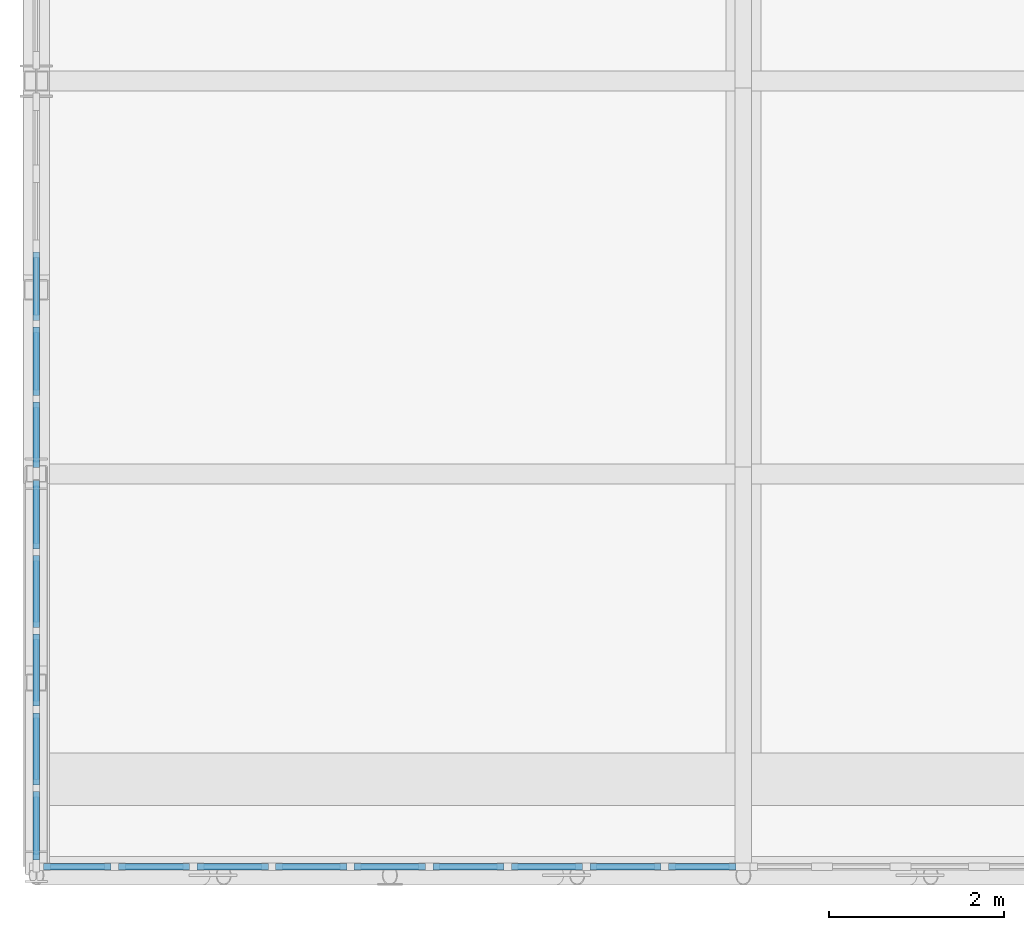
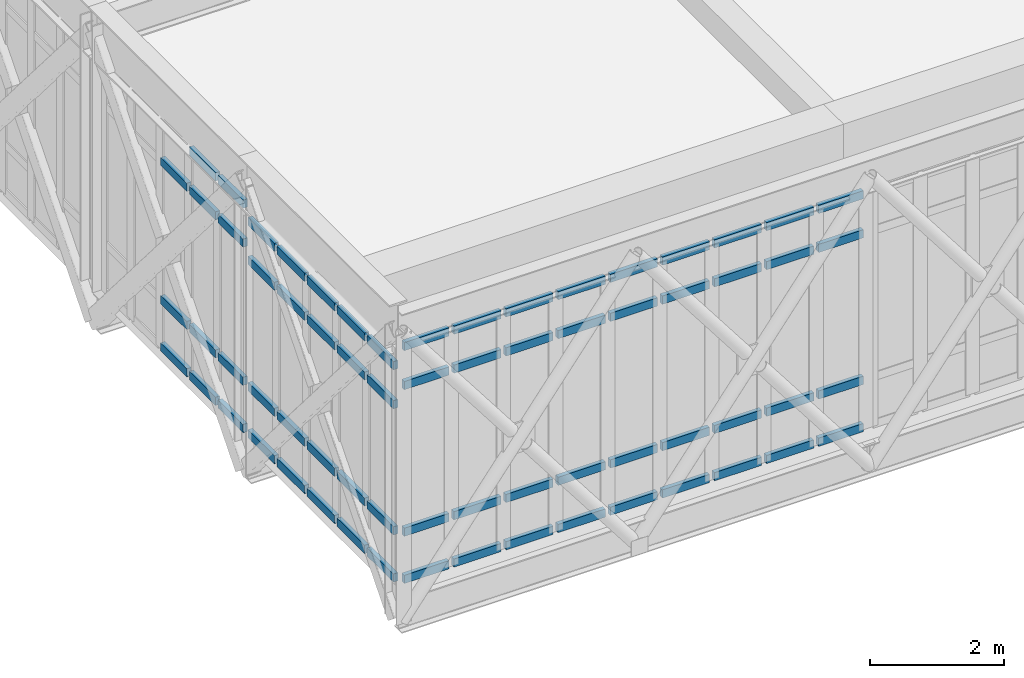
# One storey, part 27 of 70: 67 members, 3 elements without a shape of their own.
"""IFC4 building model written with IfcOpenShell, lengths in metres."""

from ifc_helpers import new_model, si_unit, direction, frame, origin, origin_2d, place, context, subcontext, project, spatial, rectangle, extrude, material, material_profile, profile_set, type_object, element, aggregate, save


model = new_model("IFC4")

# Units and contexts
model_context = context("Model", 3, precision=1e-05, world=origin(), true_north=direction((0.0, 1.0)))
body_context = subcontext(model_context, "Body", "Model", "MODEL_VIEW")
ifc_project = project(units=[si_unit("LENGTHUNIT", "METRE"), si_unit("AREAUNIT", "SQUARE_METRE"), si_unit("VOLUMEUNIT", "CUBIC_METRE"), si_unit("PLANEANGLEUNIT", "RADIAN"), si_unit("MASSUNIT", "GRAM", prefix="KILO")], contexts=[model_context])

# Site, building, storey
site_placement = place(None, origin())
site = spatial("IfcSite", under=ifc_project, at=site_placement, CompositionType="ELEMENT")
building_placement = place(site_placement, origin())
building = spatial("IfcBuilding", under=site, at=building_placement, Name="Tarnveldt Square Police Headquarters", CompositionType="ELEMENT")
storey_placement = place(building_placement, frame((0.0, 0.0, 19.800048828125)))
storey = spatial("IfcBuildingStorey", under=building, at=storey_placement, Name="L04", CompositionType="ELEMENT", Elevation=19.800048828125)

# Curtain wall, members
ifc_material_1 = material(Name="UL 752 Level III laminated ballistic vision glass", Category="glass")
curtain_wall_type_1 = type_object("IfcCurtainWallType", Name="CW-BL-810x433", PredefinedType="USERDEFINED", material=ifc_material_1)
curtain_wall_1_placement = place(storey_placement, origin())
curtain_wall_1 = element("IfcCurtainWall", 1, at=curtain_wall_1_placement, inside=storey, type_object=curtain_wall_type_1, Name="L04 Curtain Wall CW-L04-040", ObjectType="BALLISTIC CURTAIN WALL", PredefinedType="USERDEFINED")
ifc_material_2 = material(Name="Thermally broken anodised aluminium 6063-T6", Category="aluminium")
ifc_material_profile = material_profile(ifc_material_2, rectangle(XDim=0.074951171875, YDim=0.14990234375, at=origin_2d()), Name="CW-T75x150")
ifc_profile_set = profile_set([ifc_material_profile], Name="Thermally broken anodised aluminium 6063-T6")
member_type = type_object("IfcMemberType", Name="CWT-75x150", PredefinedType="USERDEFINED", material=ifc_profile_set)
member_1_placement = place(storey_placement, frame((8.18505859375, 7.0, 0.037353515625), z_axis=(1.0, 0.0, 0.0), x_axis=(0.0, 1.0, 0.0)))
member_1 = element("IfcMember", 2, at=member_1_placement, type_object=member_type, Name="CW-BL17 transom 1.1", ObjectType="TRANSOM", PredefinedType="USERDEFINED", context=body_context, shape_type="SweptSolid", body=[
    extrude(rectangle(XDim=0.074951171875, YDim=0.14990234375, at=origin_2d()), origin(), (0.0, 0.0, 1.0), 0.7724609375),
])
member_2_placement = place(storey_placement, frame((8.18505859375, 7.0, 0.89990234375), z_axis=(1.0, 0.0, 0.0), x_axis=(0.0, 1.0, 0.0)))
member_2 = element("IfcMember", 3, at=member_2_placement, type_object=member_type, Name="CW-BL17 transom 1.2", ObjectType="TRANSOM", PredefinedType="USERDEFINED", context=body_context, shape_type="SweptSolid", body=[
    extrude(rectangle(XDim=0.074951171875, YDim=0.14990234375, at=origin_2d()), origin(), (0.0, 0.0, 1.0), 0.7724609375),
])
member_3_placement = place(storey_placement, frame((8.18505859375, 7.0, 3.576416015625), z_axis=(1.0, 0.0, 0.0), x_axis=(0.0, 1.0, 0.0)))
member_3 = element("IfcMember", 4, at=member_3_placement, type_object=member_type, Name="CW-BL17 transom 1.3", ObjectType="TRANSOM", PredefinedType="USERDEFINED", context=body_context, shape_type="SweptSolid", body=[
    extrude(rectangle(XDim=0.074951171875, YDim=0.14990234375, at=origin_2d()), origin(), (0.0, 0.0, 1.0), 0.7724609375),
])
member_4_placement = place(storey_placement, frame((8.18505859375, 7.0, 4.2890625), z_axis=(1.0, 0.0, 0.0), x_axis=(0.0, 1.0, 0.0)))
member_4 = element("IfcMember", 5, at=member_4_placement, type_object=member_type, Name="CW-BL17 transom 1.4", ObjectType="TRANSOM", PredefinedType="USERDEFINED", context=body_context, shape_type="SweptSolid", body=[
    extrude(rectangle(XDim=0.074951171875, YDim=0.14990234375, at=origin_2d()), origin(), (0.0, 0.0, 1.0), 0.7724609375),
])
member_5_placement = place(storey_placement, frame((9.04248046875, 7.0, 0.037353515625), z_axis=(1.0, 0.0, 0.0), x_axis=(0.0, 1.0, 0.0)))
member_5 = element("IfcMember", 6, at=member_5_placement, type_object=member_type, Name="CW-BL17 transom 2.1", ObjectType="TRANSOM", PredefinedType="USERDEFINED", context=body_context, shape_type="SweptSolid", body=[
    extrude(rectangle(XDim=0.074951171875, YDim=0.14990234375, at=origin_2d()), origin(), (0.0, 0.0, 1.0), 0.81494140625),
])
member_6_placement = place(storey_placement, frame((9.04248046875, 7.0, 0.89990234375), z_axis=(1.0, 0.0, 0.0), x_axis=(0.0, 1.0, 0.0)))
member_6 = element("IfcMember", 7, at=member_6_placement, type_object=member_type, Name="CW-BL17 transom 2.2", ObjectType="TRANSOM", PredefinedType="USERDEFINED", context=body_context, shape_type="SweptSolid", body=[
    extrude(rectangle(XDim=0.074951171875, YDim=0.14990234375, at=origin_2d()), origin(), (0.0, 0.0, 1.0), 0.81494140625),
])
member_7_placement = place(storey_placement, frame((9.04248046875, 7.0, 3.576416015625), z_axis=(1.0, 0.0, 0.0), x_axis=(0.0, 1.0, 0.0)))
member_7 = element("IfcMember", 8, at=member_7_placement, type_object=member_type, Name="CW-BL17 transom 2.3", ObjectType="TRANSOM", PredefinedType="USERDEFINED", context=body_context, shape_type="SweptSolid", body=[
    extrude(rectangle(XDim=0.074951171875, YDim=0.14990234375, at=origin_2d()), origin(), (0.0, 0.0, 1.0), 0.81494140625),
])
member_8_placement = place(storey_placement, frame((9.04248046875, 7.0, 4.2890625), z_axis=(1.0, 0.0, 0.0), x_axis=(0.0, 1.0, 0.0)))
member_8 = element("IfcMember", 9, at=member_8_placement, type_object=member_type, Name="CW-BL17 transom 2.4", ObjectType="TRANSOM", PredefinedType="USERDEFINED", context=body_context, shape_type="SweptSolid", body=[
    extrude(rectangle(XDim=0.074951171875, YDim=0.14990234375, at=origin_2d()), origin(), (0.0, 0.0, 1.0), 0.81494140625),
])
member_9_placement = place(storey_placement, frame((9.9423828125, 7.0, 0.037353515625), z_axis=(1.0, 0.0, 0.0), x_axis=(0.0, 1.0, 0.0)))
member_9 = element("IfcMember", 10, at=member_9_placement, type_object=member_type, Name="CW-BL17 transom 3.1", ObjectType="TRANSOM", PredefinedType="USERDEFINED", context=body_context, shape_type="SweptSolid", body=[
    extrude(rectangle(XDim=0.074951171875, YDim=0.14990234375, at=origin_2d()), origin(), (0.0, 0.0, 1.0), 0.815185546875),
])
member_10_placement = place(storey_placement, frame((9.9423828125, 7.0, 0.89990234375), z_axis=(1.0, 0.0, 0.0), x_axis=(0.0, 1.0, 0.0)))
member_10 = element("IfcMember", 11, at=member_10_placement, type_object=member_type, Name="CW-BL17 transom 3.2", ObjectType="TRANSOM", PredefinedType="USERDEFINED", context=body_context, shape_type="SweptSolid", body=[
    extrude(rectangle(XDim=0.074951171875, YDim=0.14990234375, at=origin_2d()), origin(), (0.0, 0.0, 1.0), 0.815185546875),
])
member_11_placement = place(storey_placement, frame((9.9423828125, 7.0, 3.576416015625), z_axis=(1.0, 0.0, 0.0), x_axis=(0.0, 1.0, 0.0)))
member_11 = element("IfcMember", 12, at=member_11_placement, type_object=member_type, Name="CW-BL17 transom 3.3", ObjectType="TRANSOM", PredefinedType="USERDEFINED", context=body_context, shape_type="SweptSolid", body=[
    extrude(rectangle(XDim=0.074951171875, YDim=0.14990234375, at=origin_2d()), origin(), (0.0, 0.0, 1.0), 0.815185546875),
])
member_12_placement = place(storey_placement, frame((9.9423828125, 7.0, 4.2890625), z_axis=(1.0, 0.0, 0.0), x_axis=(0.0, 1.0, 0.0)))
member_12 = element("IfcMember", 13, at=member_12_placement, type_object=member_type, Name="CW-BL17 transom 3.4", ObjectType="TRANSOM", PredefinedType="USERDEFINED", context=body_context, shape_type="SweptSolid", body=[
    extrude(rectangle(XDim=0.074951171875, YDim=0.14990234375, at=origin_2d()), origin(), (0.0, 0.0, 1.0), 0.815185546875),
])
member_13_placement = place(storey_placement, frame((10.842529296875, 7.0, 0.037353515625), z_axis=(1.0, 0.0, 0.0), x_axis=(0.0, 1.0, 0.0)))
member_13 = element("IfcMember", 14, at=member_13_placement, type_object=member_type, Name="CW-BL17 transom 4.1", ObjectType="TRANSOM", PredefinedType="USERDEFINED", context=body_context, shape_type="SweptSolid", body=[
    extrude(rectangle(XDim=0.074951171875, YDim=0.14990234375, at=origin_2d()), origin(), (0.0, 0.0, 1.0), 0.81494140625),
])
member_14_placement = place(storey_placement, frame((10.842529296875, 7.0, 0.89990234375), z_axis=(1.0, 0.0, 0.0), x_axis=(0.0, 1.0, 0.0)))
member_14 = element("IfcMember", 15, at=member_14_placement, type_object=member_type, Name="CW-BL17 transom 4.2", ObjectType="TRANSOM", PredefinedType="USERDEFINED", context=body_context, shape_type="SweptSolid", body=[
    extrude(rectangle(XDim=0.074951171875, YDim=0.14990234375, at=origin_2d()), origin(), (0.0, 0.0, 1.0), 0.81494140625),
])
member_15_placement = place(storey_placement, frame((10.842529296875, 7.0, 3.576416015625), z_axis=(1.0, 0.0, 0.0), x_axis=(0.0, 1.0, 0.0)))
member_15 = element("IfcMember", 16, at=member_15_placement, type_object=member_type, Name="CW-BL17 transom 4.3", ObjectType="TRANSOM", PredefinedType="USERDEFINED", context=body_context, shape_type="SweptSolid", body=[
    extrude(rectangle(XDim=0.074951171875, YDim=0.14990234375, at=origin_2d()), origin(), (0.0, 0.0, 1.0), 0.81494140625),
])
member_16_placement = place(storey_placement, frame((10.842529296875, 7.0, 4.2890625), z_axis=(1.0, 0.0, 0.0), x_axis=(0.0, 1.0, 0.0)))
member_16 = element("IfcMember", 17, at=member_16_placement, type_object=member_type, Name="CW-BL17 transom 4.4", ObjectType="TRANSOM", PredefinedType="USERDEFINED", context=body_context, shape_type="SweptSolid", body=[
    extrude(rectangle(XDim=0.074951171875, YDim=0.14990234375, at=origin_2d()), origin(), (0.0, 0.0, 1.0), 0.81494140625),
])
member_17_placement = place(storey_placement, frame((11.742431640625, 7.0, 0.037353515625), z_axis=(1.0, 0.0, 0.0), x_axis=(0.0, 1.0, 0.0)))
member_17 = element("IfcMember", 18, at=member_17_placement, type_object=member_type, Name="CW-BL17 transom 5.1", ObjectType="TRANSOM", PredefinedType="USERDEFINED", context=body_context, shape_type="SweptSolid", body=[
    extrude(rectangle(XDim=0.074951171875, YDim=0.14990234375, at=origin_2d()), origin(), (0.0, 0.0, 1.0), 0.815185546875),
])
member_18_placement = place(storey_placement, frame((11.742431640625, 7.0, 0.89990234375), z_axis=(1.0, 0.0, 0.0), x_axis=(0.0, 1.0, 0.0)))
member_18 = element("IfcMember", 19, at=member_18_placement, type_object=member_type, Name="CW-BL17 transom 5.2", ObjectType="TRANSOM", PredefinedType="USERDEFINED", context=body_context, shape_type="SweptSolid", body=[
    extrude(rectangle(XDim=0.074951171875, YDim=0.14990234375, at=origin_2d()), origin(), (0.0, 0.0, 1.0), 0.815185546875),
])
member_19_placement = place(storey_placement, frame((11.742431640625, 7.0, 3.576416015625), z_axis=(1.0, 0.0, 0.0), x_axis=(0.0, 1.0, 0.0)))
member_19 = element("IfcMember", 20, at=member_19_placement, type_object=member_type, Name="CW-BL17 transom 5.3", ObjectType="TRANSOM", PredefinedType="USERDEFINED", context=body_context, shape_type="SweptSolid", body=[
    extrude(rectangle(XDim=0.074951171875, YDim=0.14990234375, at=origin_2d()), origin(), (0.0, 0.0, 1.0), 0.815185546875),
])
member_20_placement = place(storey_placement, frame((11.742431640625, 7.0, 4.2890625), z_axis=(1.0, 0.0, 0.0), x_axis=(0.0, 1.0, 0.0)))
member_20 = element("IfcMember", 21, at=member_20_placement, type_object=member_type, Name="CW-BL17 transom 5.4", ObjectType="TRANSOM", PredefinedType="USERDEFINED", context=body_context, shape_type="SweptSolid", body=[
    extrude(rectangle(XDim=0.074951171875, YDim=0.14990234375, at=origin_2d()), origin(), (0.0, 0.0, 1.0), 0.815185546875),
])
member_21_placement = place(storey_placement, frame((12.642578125, 7.0, 0.037353515625), z_axis=(1.0, 0.0, 0.0), x_axis=(0.0, 1.0, 0.0)))
member_21 = element("IfcMember", 22, at=member_21_placement, type_object=member_type, Name="CW-BL17 transom 6.1", ObjectType="TRANSOM", PredefinedType="USERDEFINED", context=body_context, shape_type="SweptSolid", body=[
    extrude(rectangle(XDim=0.074951171875, YDim=0.14990234375, at=origin_2d()), origin(), (0.0, 0.0, 1.0), 0.81494140625),
])
member_22_placement = place(storey_placement, frame((12.642578125, 7.0, 0.89990234375), z_axis=(1.0, 0.0, 0.0), x_axis=(0.0, 1.0, 0.0)))
member_22 = element("IfcMember", 23, at=member_22_placement, type_object=member_type, Name="CW-BL17 transom 6.2", ObjectType="TRANSOM", PredefinedType="USERDEFINED", context=body_context, shape_type="SweptSolid", body=[
    extrude(rectangle(XDim=0.074951171875, YDim=0.14990234375, at=origin_2d()), origin(), (0.0, 0.0, 1.0), 0.81494140625),
])
member_23_placement = place(storey_placement, frame((12.642578125, 7.0, 3.576416015625), z_axis=(1.0, 0.0, 0.0), x_axis=(0.0, 1.0, 0.0)))
member_23 = element("IfcMember", 24, at=member_23_placement, type_object=member_type, Name="CW-BL17 transom 6.3", ObjectType="TRANSOM", PredefinedType="USERDEFINED", context=body_context, shape_type="SweptSolid", body=[
    extrude(rectangle(XDim=0.074951171875, YDim=0.14990234375, at=origin_2d()), origin(), (0.0, 0.0, 1.0), 0.81494140625),
])
member_24_placement = place(storey_placement, frame((12.642578125, 7.0, 4.2890625), z_axis=(1.0, 0.0, 0.0), x_axis=(0.0, 1.0, 0.0)))
member_24 = element("IfcMember", 25, at=member_24_placement, type_object=member_type, Name="CW-BL17 transom 6.4", ObjectType="TRANSOM", PredefinedType="USERDEFINED", context=body_context, shape_type="SweptSolid", body=[
    extrude(rectangle(XDim=0.074951171875, YDim=0.14990234375, at=origin_2d()), origin(), (0.0, 0.0, 1.0), 0.81494140625),
])
member_25_placement = place(storey_placement, frame((13.54248046875, 7.0, 0.037353515625), z_axis=(1.0, 0.0, 0.0), x_axis=(0.0, 1.0, 0.0)))
member_25 = element("IfcMember", 26, at=member_25_placement, type_object=member_type, Name="CW-BL17 transom 7.1", ObjectType="TRANSOM", PredefinedType="USERDEFINED", context=body_context, shape_type="SweptSolid", body=[
    extrude(rectangle(XDim=0.074951171875, YDim=0.14990234375, at=origin_2d()), origin(), (0.0, 0.0, 1.0), 0.81494140625),
])
member_26_placement = place(storey_placement, frame((13.54248046875, 7.0, 0.89990234375), z_axis=(1.0, 0.0, 0.0), x_axis=(0.0, 1.0, 0.0)))
member_26 = element("IfcMember", 27, at=member_26_placement, type_object=member_type, Name="CW-BL17 transom 7.2", ObjectType="TRANSOM", PredefinedType="USERDEFINED", context=body_context, shape_type="SweptSolid", body=[
    extrude(rectangle(XDim=0.074951171875, YDim=0.14990234375, at=origin_2d()), origin(), (0.0, 0.0, 1.0), 0.81494140625),
])
member_27_placement = place(storey_placement, frame((13.54248046875, 7.0, 3.576416015625), z_axis=(1.0, 0.0, 0.0), x_axis=(0.0, 1.0, 0.0)))
member_27 = element("IfcMember", 28, at=member_27_placement, type_object=member_type, Name="CW-BL17 transom 7.3", ObjectType="TRANSOM", PredefinedType="USERDEFINED", context=body_context, shape_type="SweptSolid", body=[
    extrude(rectangle(XDim=0.074951171875, YDim=0.14990234375, at=origin_2d()), origin(), (0.0, 0.0, 1.0), 0.81494140625),
])
member_28_placement = place(storey_placement, frame((13.54248046875, 7.0, 4.2890625), z_axis=(1.0, 0.0, 0.0), x_axis=(0.0, 1.0, 0.0)))
member_28 = element("IfcMember", 29, at=member_28_placement, type_object=member_type, Name="CW-BL17 transom 7.4", ObjectType="TRANSOM", PredefinedType="USERDEFINED", context=body_context, shape_type="SweptSolid", body=[
    extrude(rectangle(XDim=0.074951171875, YDim=0.14990234375, at=origin_2d()), origin(), (0.0, 0.0, 1.0), 0.81494140625),
])
member_29_placement = place(storey_placement, frame((14.4423828125, 7.0, 0.037353515625), z_axis=(1.0, 0.0, 0.0), x_axis=(0.0, 1.0, 0.0)))
member_29 = element("IfcMember", 30, at=member_29_placement, type_object=member_type, Name="CW-BL17 transom 8.1", ObjectType="TRANSOM", PredefinedType="USERDEFINED", context=body_context, shape_type="SweptSolid", body=[
    extrude(rectangle(XDim=0.074951171875, YDim=0.14990234375, at=origin_2d()), origin(), (0.0, 0.0, 1.0), 0.815185546875),
])
member_30_placement = place(storey_placement, frame((14.4423828125, 7.0, 0.89990234375), z_axis=(1.0, 0.0, 0.0), x_axis=(0.0, 1.0, 0.0)))
member_30 = element("IfcMember", 31, at=member_30_placement, type_object=member_type, Name="CW-BL17 transom 8.2", ObjectType="TRANSOM", PredefinedType="USERDEFINED", context=body_context, shape_type="SweptSolid", body=[
    extrude(rectangle(XDim=0.074951171875, YDim=0.14990234375, at=origin_2d()), origin(), (0.0, 0.0, 1.0), 0.815185546875),
])
member_31_placement = place(storey_placement, frame((14.4423828125, 7.0, 3.576416015625), z_axis=(1.0, 0.0, 0.0), x_axis=(0.0, 1.0, 0.0)))
member_31 = element("IfcMember", 32, at=member_31_placement, type_object=member_type, Name="CW-BL17 transom 8.3", ObjectType="TRANSOM", PredefinedType="USERDEFINED", context=body_context, shape_type="SweptSolid", body=[
    extrude(rectangle(XDim=0.074951171875, YDim=0.14990234375, at=origin_2d()), origin(), (0.0, 0.0, 1.0), 0.815185546875),
])
member_32_placement = place(storey_placement, frame((14.4423828125, 7.0, 4.2890625), z_axis=(1.0, 0.0, 0.0), x_axis=(0.0, 1.0, 0.0)))
member_32 = element("IfcMember", 33, at=member_32_placement, type_object=member_type, Name="CW-BL17 transom 8.4", ObjectType="TRANSOM", PredefinedType="USERDEFINED", context=body_context, shape_type="SweptSolid", body=[
    extrude(rectangle(XDim=0.074951171875, YDim=0.14990234375, at=origin_2d()), origin(), (0.0, 0.0, 1.0), 0.815185546875),
])
member_33_placement = place(storey_placement, frame((15.342529296875, 7.0, 0.037353515625), z_axis=(1.0, 0.0, 0.0), x_axis=(0.0, 1.0, 0.0)))
member_33 = element("IfcMember", 34, at=member_33_placement, type_object=member_type, Name="CW-BL17 transom 9.1", ObjectType="TRANSOM", PredefinedType="USERDEFINED", context=body_context, shape_type="SweptSolid", body=[
    extrude(rectangle(XDim=0.074951171875, YDim=0.14990234375, at=origin_2d()), origin(), (0.0, 0.0, 1.0), 0.7724609375),
])
member_34_placement = place(storey_placement, frame((15.342529296875, 7.0, 0.89990234375), z_axis=(1.0, 0.0, 0.0), x_axis=(0.0, 1.0, 0.0)))
member_34 = element("IfcMember", 35, at=member_34_placement, type_object=member_type, Name="CW-BL17 transom 9.2", ObjectType="TRANSOM", PredefinedType="USERDEFINED", context=body_context, shape_type="SweptSolid", body=[
    extrude(rectangle(XDim=0.074951171875, YDim=0.14990234375, at=origin_2d()), origin(), (0.0, 0.0, 1.0), 0.7724609375),
])
member_35_placement = place(storey_placement, frame((15.342529296875, 7.0, 3.576416015625), z_axis=(1.0, 0.0, 0.0), x_axis=(0.0, 1.0, 0.0)))
member_35 = element("IfcMember", 36, at=member_35_placement, type_object=member_type, Name="CW-BL17 transom 9.3", ObjectType="TRANSOM", PredefinedType="USERDEFINED", context=body_context, shape_type="SweptSolid", body=[
    extrude(rectangle(XDim=0.074951171875, YDim=0.14990234375, at=origin_2d()), origin(), (0.0, 0.0, 1.0), 0.7724609375),
])
member_36_placement = place(storey_placement, frame((15.342529296875, 7.0, 4.2890625), z_axis=(1.0, 0.0, 0.0), x_axis=(0.0, 1.0, 0.0)))
member_36 = element("IfcMember", 37, at=member_36_placement, type_object=member_type, Name="CW-BL17 transom 9.4", ObjectType="TRANSOM", PredefinedType="USERDEFINED", context=body_context, shape_type="SweptSolid", body=[
    extrude(rectangle(XDim=0.074951171875, YDim=0.14990234375, at=origin_2d()), origin(), (0.0, 0.0, 1.0), 0.7724609375),
])
aggregate(curtain_wall_1, [member_1, member_2, member_3, member_4, member_5, member_6, member_7, member_8, member_9, member_10, member_11, member_12, member_13, member_14, member_15, member_16, member_17, member_18, member_19, member_20, member_21, member_22, member_23, member_24, member_25, member_26, member_27, member_28, member_29, member_30, member_31, member_32, member_33, member_34, member_35, member_36])

ifc_material_3 = material(Name="Triple-glazed low-e laminated vision glass", Category="glass")
curtain_wall_type_2 = type_object("IfcCurtainWallType", Name="CW-LT-450x395", PredefinedType="USERDEFINED", material=ifc_material_3)
curtain_wall_2_placement = place(storey_placement, origin())
curtain_wall_2 = element("IfcCurtainWall", 38, at=curtain_wall_2_placement, inside=storey, type_object=curtain_wall_type_2, Name="L04 Curtain Wall CW-L04-050", ObjectType="GLAZED CURTAIN WALL", PredefinedType="USERDEFINED")
member_37_placement = place(storey_placement, frame((8.10009765625, 7.074951171875, 0.037353515625), z_axis=(0.0, 1.0, 0.0), x_axis=(-1.0, 0.0, 0.0)))
member_37 = element("IfcMember", 39, at=member_37_placement, type_object=member_type, Name="CW-LT20 transom 1.1", ObjectType="TRANSOM", PredefinedType="USERDEFINED", context=body_context, shape_type="SweptSolid", body=[
    extrude(rectangle(XDim=0.074951171875, YDim=0.14990234375, at=origin_2d()), origin(), (0.0, 0.0, 1.0), 0.78759765625),
])
member_38_placement = place(storey_placement, frame((8.10009765625, 7.074951171875, 0.89990234375), z_axis=(0.0, 1.0, 0.0), x_axis=(-1.0, 0.0, 0.0)))
member_38 = element("IfcMember", 40, at=member_38_placement, type_object=member_type, Name="CW-LT20 transom 1.2", ObjectType="TRANSOM", PredefinedType="USERDEFINED", context=body_context, shape_type="SweptSolid", body=[
    extrude(rectangle(XDim=0.074951171875, YDim=0.14990234375, at=origin_2d()), origin(), (0.0, 0.0, 1.0), 0.78759765625),
])
member_39_placement = place(storey_placement, frame((8.10009765625, 7.074951171875, 3.201904296875), z_axis=(0.0, 1.0, 0.0), x_axis=(-1.0, 0.0, 0.0)))
member_39 = element("IfcMember", 41, at=member_39_placement, type_object=member_type, Name="CW-LT20 transom 1.3", ObjectType="TRANSOM", PredefinedType="USERDEFINED", context=body_context, shape_type="SweptSolid", body=[
    extrude(rectangle(XDim=0.074951171875, YDim=0.14990234375, at=origin_2d()), origin(), (0.0, 0.0, 1.0), 0.78759765625),
])
member_40_placement = place(storey_placement, frame((8.10009765625, 7.074951171875, 3.914306640625), z_axis=(0.0, 1.0, 0.0), x_axis=(-1.0, 0.0, 0.0)))
member_40 = element("IfcMember", 42, at=member_40_placement, type_object=member_type, Name="CW-LT20 transom 1.4", ObjectType="TRANSOM", PredefinedType="USERDEFINED", context=body_context, shape_type="SweptSolid", body=[
    extrude(rectangle(XDim=0.074951171875, YDim=0.14990234375, at=origin_2d()), origin(), (0.0, 0.0, 1.0), 0.78759765625),
])
member_41_placement = place(storey_placement, frame((8.10009765625, 7.9375, 0.037353515625), z_axis=(0.0, 1.0, 0.0), x_axis=(-1.0, 0.0, 0.0)))
member_41 = element("IfcMember", 43, at=member_41_placement, type_object=member_type, Name="CW-LT20 transom 2.1", ObjectType="TRANSOM", PredefinedType="USERDEFINED", context=body_context, shape_type="SweptSolid", body=[
    extrude(rectangle(XDim=0.074951171875, YDim=0.14990234375, at=origin_2d()), origin(), (0.0, 0.0, 1.0), 0.824951171875),
])
member_42_placement = place(storey_placement, frame((8.10009765625, 7.9375, 0.89990234375), z_axis=(0.0, 1.0, 0.0), x_axis=(-1.0, 0.0, 0.0)))
member_42 = element("IfcMember", 44, at=member_42_placement, type_object=member_type, Name="CW-LT20 transom 2.2", ObjectType="TRANSOM", PredefinedType="USERDEFINED", context=body_context, shape_type="SweptSolid", body=[
    extrude(rectangle(XDim=0.074951171875, YDim=0.14990234375, at=origin_2d()), origin(), (0.0, 0.0, 1.0), 0.824951171875),
])
member_43_placement = place(storey_placement, frame((8.10009765625, 7.9375, 3.201904296875), z_axis=(0.0, 1.0, 0.0), x_axis=(-1.0, 0.0, 0.0)))
member_43 = element("IfcMember", 45, at=member_43_placement, type_object=member_type, Name="CW-LT20 transom 2.3", ObjectType="TRANSOM", PredefinedType="USERDEFINED", context=body_context, shape_type="SweptSolid", body=[
    extrude(rectangle(XDim=0.074951171875, YDim=0.14990234375, at=origin_2d()), origin(), (0.0, 0.0, 1.0), 0.824951171875),
])
member_44_placement = place(storey_placement, frame((8.10009765625, 7.9375, 3.914306640625), z_axis=(0.0, 1.0, 0.0), x_axis=(-1.0, 0.0, 0.0)))
member_44 = element("IfcMember", 46, at=member_44_placement, type_object=member_type, Name="CW-LT20 transom 2.4", ObjectType="TRANSOM", PredefinedType="USERDEFINED", context=body_context, shape_type="SweptSolid", body=[
    extrude(rectangle(XDim=0.074951171875, YDim=0.14990234375, at=origin_2d()), origin(), (0.0, 0.0, 1.0), 0.824951171875),
])
member_45_placement = place(storey_placement, frame((8.10009765625, 8.83740234375, 0.037353515625), z_axis=(0.0, 1.0, 0.0), x_axis=(-1.0, 0.0, 0.0)))
member_45 = element("IfcMember", 47, at=member_45_placement, type_object=member_type, Name="CW-LT20 transom 3.1", ObjectType="TRANSOM", PredefinedType="USERDEFINED", context=body_context, shape_type="SweptSolid", body=[
    extrude(rectangle(XDim=0.074951171875, YDim=0.14990234375, at=origin_2d()), origin(), (0.0, 0.0, 1.0), 0.8251953125),
])
member_46_placement = place(storey_placement, frame((8.10009765625, 8.83740234375, 0.89990234375), z_axis=(0.0, 1.0, 0.0), x_axis=(-1.0, 0.0, 0.0)))
member_46 = element("IfcMember", 48, at=member_46_placement, type_object=member_type, Name="CW-LT20 transom 3.2", ObjectType="TRANSOM", PredefinedType="USERDEFINED", context=body_context, shape_type="SweptSolid", body=[
    extrude(rectangle(XDim=0.074951171875, YDim=0.14990234375, at=origin_2d()), origin(), (0.0, 0.0, 1.0), 0.8251953125),
])
member_47_placement = place(storey_placement, frame((8.10009765625, 8.83740234375, 3.201904296875), z_axis=(0.0, 1.0, 0.0), x_axis=(-1.0, 0.0, 0.0)))
member_47 = element("IfcMember", 49, at=member_47_placement, type_object=member_type, Name="CW-LT20 transom 3.3", ObjectType="TRANSOM", PredefinedType="USERDEFINED", context=body_context, shape_type="SweptSolid", body=[
    extrude(rectangle(XDim=0.074951171875, YDim=0.14990234375, at=origin_2d()), origin(), (0.0, 0.0, 1.0), 0.8251953125),
])
member_48_placement = place(storey_placement, frame((8.10009765625, 8.83740234375, 3.914306640625), z_axis=(0.0, 1.0, 0.0), x_axis=(-1.0, 0.0, 0.0)))
member_48 = element("IfcMember", 50, at=member_48_placement, type_object=member_type, Name="CW-LT20 transom 3.4", ObjectType="TRANSOM", PredefinedType="USERDEFINED", context=body_context, shape_type="SweptSolid", body=[
    extrude(rectangle(XDim=0.074951171875, YDim=0.14990234375, at=origin_2d()), origin(), (0.0, 0.0, 1.0), 0.8251953125),
])
member_49_placement = place(storey_placement, frame((8.10009765625, 9.737548828125, 0.037353515625), z_axis=(0.0, 1.0, 0.0), x_axis=(-1.0, 0.0, 0.0)))
member_49 = element("IfcMember", 51, at=member_49_placement, type_object=member_type, Name="CW-LT20 transom 4.1", ObjectType="TRANSOM", PredefinedType="USERDEFINED", context=body_context, shape_type="SweptSolid", body=[
    extrude(rectangle(XDim=0.074951171875, YDim=0.14990234375, at=origin_2d()), origin(), (0.0, 0.0, 1.0), 0.824951171875),
])
member_50_placement = place(storey_placement, frame((8.10009765625, 9.737548828125, 0.89990234375), z_axis=(0.0, 1.0, 0.0), x_axis=(-1.0, 0.0, 0.0)))
member_50 = element("IfcMember", 52, at=member_50_placement, type_object=member_type, Name="CW-LT20 transom 4.2", ObjectType="TRANSOM", PredefinedType="USERDEFINED", context=body_context, shape_type="SweptSolid", body=[
    extrude(rectangle(XDim=0.074951171875, YDim=0.14990234375, at=origin_2d()), origin(), (0.0, 0.0, 1.0), 0.824951171875),
])
member_51_placement = place(storey_placement, frame((8.10009765625, 9.737548828125, 3.201904296875), z_axis=(0.0, 1.0, 0.0), x_axis=(-1.0, 0.0, 0.0)))
member_51 = element("IfcMember", 53, at=member_51_placement, type_object=member_type, Name="CW-LT20 transom 4.3", ObjectType="TRANSOM", PredefinedType="USERDEFINED", context=body_context, shape_type="SweptSolid", body=[
    extrude(rectangle(XDim=0.074951171875, YDim=0.14990234375, at=origin_2d()), origin(), (0.0, 0.0, 1.0), 0.824951171875),
])
member_52_placement = place(storey_placement, frame((8.10009765625, 9.737548828125, 3.914306640625), z_axis=(0.0, 1.0, 0.0), x_axis=(-1.0, 0.0, 0.0)))
member_52 = element("IfcMember", 54, at=member_52_placement, type_object=member_type, Name="CW-LT20 transom 4.4", ObjectType="TRANSOM", PredefinedType="USERDEFINED", context=body_context, shape_type="SweptSolid", body=[
    extrude(rectangle(XDim=0.074951171875, YDim=0.14990234375, at=origin_2d()), origin(), (0.0, 0.0, 1.0), 0.824951171875),
])
member_53_placement = place(storey_placement, frame((8.10009765625, 10.637451171875, 0.037353515625), z_axis=(0.0, 1.0, 0.0), x_axis=(-1.0, 0.0, 0.0)))
member_53 = element("IfcMember", 55, at=member_53_placement, type_object=member_type, Name="CW-LT20 transom 5.1", ObjectType="TRANSOM", PredefinedType="USERDEFINED", context=body_context, shape_type="SweptSolid", body=[
    extrude(rectangle(XDim=0.074951171875, YDim=0.14990234375, at=origin_2d()), origin(), (0.0, 0.0, 1.0), 0.78759765625),
])
member_54_placement = place(storey_placement, frame((8.10009765625, 10.637451171875, 0.89990234375), z_axis=(0.0, 1.0, 0.0), x_axis=(-1.0, 0.0, 0.0)))
member_54 = element("IfcMember", 56, at=member_54_placement, type_object=member_type, Name="CW-LT20 transom 5.2", ObjectType="TRANSOM", PredefinedType="USERDEFINED", context=body_context, shape_type="SweptSolid", body=[
    extrude(rectangle(XDim=0.074951171875, YDim=0.14990234375, at=origin_2d()), origin(), (0.0, 0.0, 1.0), 0.78759765625),
])
member_55_placement = place(storey_placement, frame((8.10009765625, 10.637451171875, 3.201904296875), z_axis=(0.0, 1.0, 0.0), x_axis=(-1.0, 0.0, 0.0)))
member_55 = element("IfcMember", 57, at=member_55_placement, type_object=member_type, Name="CW-LT20 transom 5.3", ObjectType="TRANSOM", PredefinedType="USERDEFINED", context=body_context, shape_type="SweptSolid", body=[
    extrude(rectangle(XDim=0.074951171875, YDim=0.14990234375, at=origin_2d()), origin(), (0.0, 0.0, 1.0), 0.78759765625),
])
member_56_placement = place(storey_placement, frame((8.10009765625, 10.637451171875, 3.914306640625), z_axis=(0.0, 1.0, 0.0), x_axis=(-1.0, 0.0, 0.0)))
member_56 = element("IfcMember", 58, at=member_56_placement, type_object=member_type, Name="CW-LT20 transom 5.4", ObjectType="TRANSOM", PredefinedType="USERDEFINED", context=body_context, shape_type="SweptSolid", body=[
    extrude(rectangle(XDim=0.074951171875, YDim=0.14990234375, at=origin_2d()), origin(), (0.0, 0.0, 1.0), 0.78759765625),
])
aggregate(curtain_wall_2, [member_37, member_38, member_39, member_40, member_41, member_42, member_43, member_44, member_45, member_46, member_47, member_48, member_49, member_50, member_51, member_52, member_53, member_54, member_55, member_56])

curtain_wall_type_3 = type_object("IfcCurtainWallType", Name="CW-LT-430x417", PredefinedType="USERDEFINED", material=ifc_material_3)
curtain_wall_3_placement = place(storey_placement, origin())
curtain_wall_3 = element("IfcCurtainWall", 59, at=curtain_wall_3_placement, inside=storey, type_object=curtain_wall_type_3, Name="L04 Curtain Wall CW-L04-051", ObjectType="GLAZED CURTAIN WALL", PredefinedType="USERDEFINED")
member_57_placement = place(storey_placement, frame((8.10009765625, 11.574951171875, 0.037353515625), z_axis=(0.0, 1.0, 0.0), x_axis=(-1.0, 0.0, 0.0)))
member_57 = element("IfcMember", 60, at=member_57_placement, type_object=member_type, Name="CW-LT21 transom 1.1", ObjectType="TRANSOM", PredefinedType="USERDEFINED", context=body_context, shape_type="SweptSolid", body=[
    extrude(rectangle(XDim=0.074951171875, YDim=0.14990234375, at=origin_2d()), origin(), (0.0, 0.0, 1.0), 0.7470703125),
])
member_58_placement = place(storey_placement, frame((8.10009765625, 11.574951171875, 0.89990234375), z_axis=(0.0, 1.0, 0.0), x_axis=(-1.0, 0.0, 0.0)))
member_58 = element("IfcMember", 61, at=member_58_placement, type_object=member_type, Name="CW-LT21 transom 1.2", ObjectType="TRANSOM", PredefinedType="USERDEFINED", context=body_context, shape_type="SweptSolid", body=[
    extrude(rectangle(XDim=0.074951171875, YDim=0.14990234375, at=origin_2d()), origin(), (0.0, 0.0, 1.0), 0.7470703125),
])
member_59_placement = place(storey_placement, frame((8.10009765625, 11.574951171875, 3.4228515625), z_axis=(0.0, 1.0, 0.0), x_axis=(-1.0, 0.0, 0.0)))
member_59 = element("IfcMember", 62, at=member_59_placement, type_object=member_type, Name="CW-LT21 transom 1.3", ObjectType="TRANSOM", PredefinedType="USERDEFINED", context=body_context, shape_type="SweptSolid", body=[
    extrude(rectangle(XDim=0.074951171875, YDim=0.14990234375, at=origin_2d()), origin(), (0.0, 0.0, 1.0), 0.7470703125),
])
member_60_placement = place(storey_placement, frame((8.10009765625, 11.574951171875, 4.135498046875), z_axis=(0.0, 1.0, 0.0), x_axis=(-1.0, 0.0, 0.0)))
member_60 = element("IfcMember", 63, at=member_60_placement, type_object=member_type, Name="CW-LT21 transom 1.4", ObjectType="TRANSOM", PredefinedType="USERDEFINED", context=body_context, shape_type="SweptSolid", body=[
    extrude(rectangle(XDim=0.074951171875, YDim=0.14990234375, at=origin_2d()), origin(), (0.0, 0.0, 1.0), 0.7470703125),
])
member_61_placement = place(storey_placement, frame((8.10009765625, 12.397216796875, 0.037353515625), z_axis=(0.0, 1.0, 0.0), x_axis=(-1.0, 0.0, 0.0)))
member_61 = element("IfcMember", 64, at=member_61_placement, type_object=member_type, Name="CW-LT21 transom 2.1", ObjectType="TRANSOM", PredefinedType="USERDEFINED", context=body_context, shape_type="SweptSolid", body=[
    extrude(rectangle(XDim=0.074951171875, YDim=0.14990234375, at=origin_2d()), origin(), (0.0, 0.0, 1.0), 0.784423828125),
])
member_62_placement = place(storey_placement, frame((8.10009765625, 12.397216796875, 0.89990234375), z_axis=(0.0, 1.0, 0.0), x_axis=(-1.0, 0.0, 0.0)))
member_62 = element("IfcMember", 65, at=member_62_placement, type_object=member_type, Name="CW-LT21 transom 2.2", ObjectType="TRANSOM", PredefinedType="USERDEFINED", context=body_context, shape_type="SweptSolid", body=[
    extrude(rectangle(XDim=0.074951171875, YDim=0.14990234375, at=origin_2d()), origin(), (0.0, 0.0, 1.0), 0.784423828125),
])
member_63_placement = place(storey_placement, frame((8.10009765625, 12.397216796875, 3.4228515625), z_axis=(0.0, 1.0, 0.0), x_axis=(-1.0, 0.0, 0.0)))
member_63 = element("IfcMember", 66, at=member_63_placement, type_object=member_type, Name="CW-LT21 transom 2.3", ObjectType="TRANSOM", PredefinedType="USERDEFINED", context=body_context, shape_type="SweptSolid", body=[
    extrude(rectangle(XDim=0.074951171875, YDim=0.14990234375, at=origin_2d()), origin(), (0.0, 0.0, 1.0), 0.784423828125),
])
member_64_placement = place(storey_placement, frame((8.10009765625, 12.397216796875, 4.135498046875), z_axis=(0.0, 1.0, 0.0), x_axis=(-1.0, 0.0, 0.0)))
member_64 = element("IfcMember", 67, at=member_64_placement, type_object=member_type, Name="CW-LT21 transom 2.4", ObjectType="TRANSOM", PredefinedType="USERDEFINED", context=body_context, shape_type="SweptSolid", body=[
    extrude(rectangle(XDim=0.074951171875, YDim=0.14990234375, at=origin_2d()), origin(), (0.0, 0.0, 1.0), 0.784423828125),
])
member_65_placement = place(storey_placement, frame((8.10009765625, 13.256591796875, 0.037353515625), z_axis=(0.0, 1.0, 0.0), x_axis=(-1.0, 0.0, 0.0)))
member_65 = element("IfcMember", 68, at=member_65_placement, type_object=member_type, Name="CW-LT21 transom 3.1", ObjectType="TRANSOM", PredefinedType="USERDEFINED", context=body_context, shape_type="SweptSolid", body=[
    extrude(rectangle(XDim=0.074951171875, YDim=0.14990234375, at=origin_2d()), origin(), (0.0, 0.0, 1.0), 0.78466796875),
])
member_66_placement = place(storey_placement, frame((8.10009765625, 13.256591796875, 0.89990234375), z_axis=(0.0, 1.0, 0.0), x_axis=(-1.0, 0.0, 0.0)))
member_66 = element("IfcMember", 69, at=member_66_placement, type_object=member_type, Name="CW-LT21 transom 3.2", ObjectType="TRANSOM", PredefinedType="USERDEFINED", context=body_context, shape_type="SweptSolid", body=[
    extrude(rectangle(XDim=0.074951171875, YDim=0.14990234375, at=origin_2d()), origin(), (0.0, 0.0, 1.0), 0.78466796875),
])
member_67_placement = place(storey_placement, frame((8.10009765625, 13.256591796875, 3.4228515625), z_axis=(0.0, 1.0, 0.0), x_axis=(-1.0, 0.0, 0.0)))
member_67 = element("IfcMember", 70, at=member_67_placement, type_object=member_type, Name="CW-LT21 transom 3.3", ObjectType="TRANSOM", PredefinedType="USERDEFINED", context=body_context, shape_type="SweptSolid", body=[
    extrude(rectangle(XDim=0.074951171875, YDim=0.14990234375, at=origin_2d()), origin(), (0.0, 0.0, 1.0), 0.78466796875),
])
aggregate(curtain_wall_3, [member_57, member_58, member_59, member_60, member_61, member_62, member_63, member_64, member_65, member_66, member_67])

save(model, "model.ifc")
